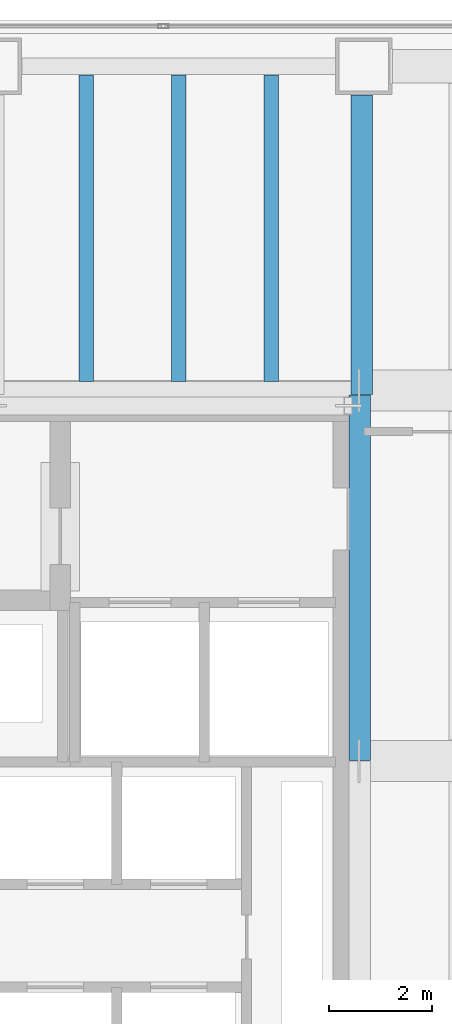
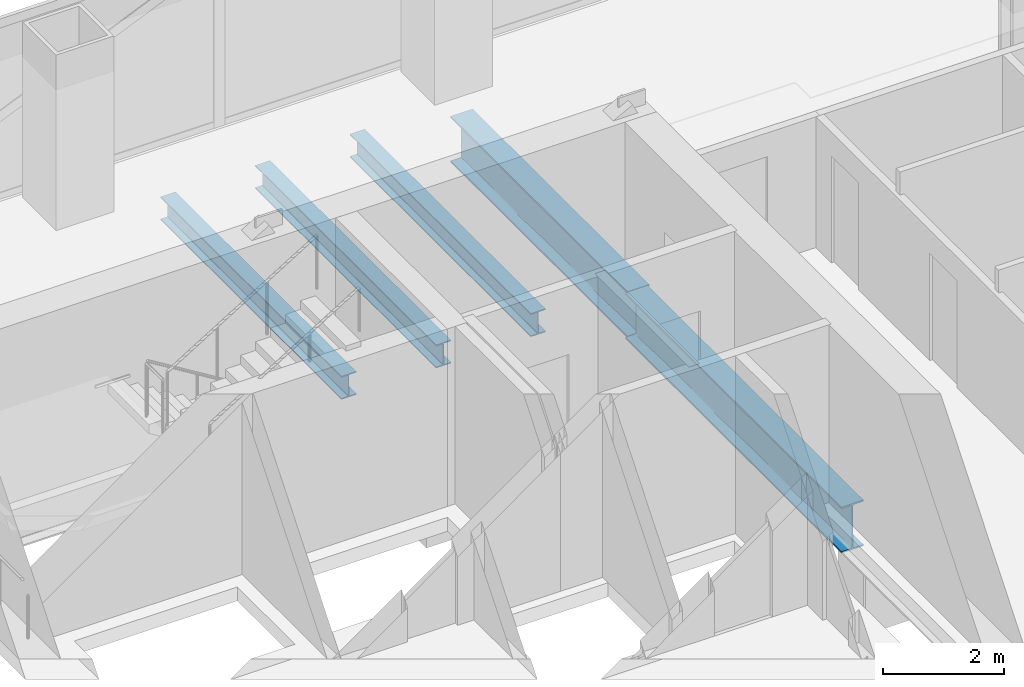
# One storey, part 15 of 24: 5 beams.
"""IFC4 building model written with IfcOpenShell, lengths in metres."""

from ifc_helpers import new_model, si_unit, direction, frame, origin, origin_2d, place, context, subcontext, project, spatial, i_section, extrude, material, material_profile, profile_set, type_object, element, save


model = new_model("IFC4")

# Units and contexts
model_context = context("Model", 3, precision=1e-05, world=origin(), true_north=direction((0.0, 1.0)))
body_context = subcontext(model_context, "Body", "Model", "MODEL_VIEW")
ifc_project = project(units=[si_unit("LENGTHUNIT", "METRE"), si_unit("AREAUNIT", "SQUARE_METRE"), si_unit("VOLUMEUNIT", "CUBIC_METRE"), si_unit("PLANEANGLEUNIT", "RADIAN"), si_unit("MASSUNIT", "GRAM", prefix="KILO")], contexts=[model_context])

# Site, building, storey
site_placement = place(None, origin())
site = spatial("IfcSite", under=ifc_project, at=site_placement, CompositionType="ELEMENT")
building_placement = place(site_placement, origin())
building = spatial("IfcBuilding", under=site, at=building_placement, Name="Cobrela Telecom Tower", CompositionType="ELEMENT")
storey_placement = place(building_placement, frame((0.0, 0.0, 31.14990234375)))
storey = spatial("IfcBuildingStorey", under=building, at=storey_placement, Name="L07", CompositionType="ELEMENT", Elevation=31.14990234375)

# Beams
ifc_material = material(Name="Steel ASTM A992 Grade 50", Category="steel")
ifc_material_profile_1 = material_profile(ifc_material, i_section(OverallWidth=0.4189453125, OverallDepth=0.927001953125, WebThickness=0.019287109375, FlangeThickness=0.031982421875, FilletRadius=0.02392578125, at=origin_2d()), Name="W36X231")
ifc_profile_set_1 = profile_set([ifc_material_profile_1], Name="Steel ASTM A992 Grade 50")
beam_type_1 = type_object("IfcBeamType", Name="BM-GIRD-02", PredefinedType="USERDEFINED", material=ifc_profile_set_1)
beam_1_placement = place(storey_placement, frame((14.320068359375, 28.804931640625, -0.743408203125), z_axis=(0.0, 1.0, 0.0), x_axis=(-1.0, 0.0, 0.0)))
element("IfcBeam", 1, at=beam_1_placement, inside=storey, type_object=beam_type_1, Name="L07 Primary Girder Y24", ObjectType="GIRDER", PredefinedType="USERDEFINED", context=body_context, shape_type="SweptSolid", body=[
    extrude(i_section(OverallWidth=0.4189453125, OverallDepth=0.927001953125, WebThickness=0.019287109375, FlangeThickness=0.031982421875, FilletRadius=0.02392578125, at=origin_2d()), origin(), (0.0, 0.0, 1.0), 7.110107421875),
])
beam_2_placement = place(storey_placement, frame((14.360107421875, 35.925048828125, -0.743408203125), z_axis=(0.0, 1.0, 0.0), x_axis=(-1.0, 0.0, 0.0)))
element("IfcBeam", 2, at=beam_2_placement, inside=storey, type_object=beam_type_1, Name="L07 Primary Girder Y25", ObjectType="GIRDER", PredefinedType="USERDEFINED", context=body_context, shape_type="SweptSolid", body=[
    extrude(i_section(OverallWidth=0.4189453125, OverallDepth=0.927001953125, WebThickness=0.019287109375, FlangeThickness=0.031982421875, FilletRadius=0.02392578125, at=origin_2d()), origin(), (0.0, 0.0, 1.0), 5.820068359375),
])
ifc_material_profile_2 = material_profile(ifc_material, i_section(OverallWidth=0.281982421875, OverallDepth=0.467041015625, WebThickness=0.01220703125, FlangeThickness=0.01953125, FilletRadius=0.012939453125, at=origin_2d()), Name="W18X86")
ifc_profile_set_2 = profile_set([ifc_material_profile_2], Name="Steel ASTM A992 Grade 50")
beam_type_2 = type_object("IfcBeamType", Name="BM-JOIST-02", PredefinedType="JOIST", material=ifc_profile_set_2)
for number, where, z_axis, x_axis, name in (
    (3, (9.0, 36.174560546875, -0.513427734375), (0.0, 1.0, 0.0), (-1.0, 0.0, 0.0), "L07 Secondary Composite Floor Beam J02"),
    (4, (10.800048828125, 36.174560546875, -0.513427734375), (0.0, 1.0, 0.0), (-1.0, 0.0, 0.0), "L07 Secondary Composite Floor Beam J04"),
    (5, (12.60009765625, 36.174560546875, -0.513427734375), (0.0, 1.0, 0.0), (-1.0, 0.0, 0.0), "L07 Secondary Composite Floor Beam J06"),
):
    element("IfcBeam", number, at=place(storey_placement, frame(where, z_axis=z_axis, x_axis=x_axis)), inside=storey, type_object=beam_type_2, Name=name, PredefinedType="JOIST", context=body_context, shape_type="SweptSolid", body=[
        extrude(i_section(OverallWidth=0.281982421875, OverallDepth=0.467041015625, WebThickness=0.01220703125, FlangeThickness=0.01953125, FilletRadius=0.012939453125, at=origin_2d()), origin(), (0.0, 0.0, 1.0), 5.9580078125),
    ])

save(model, "model.ifc")
